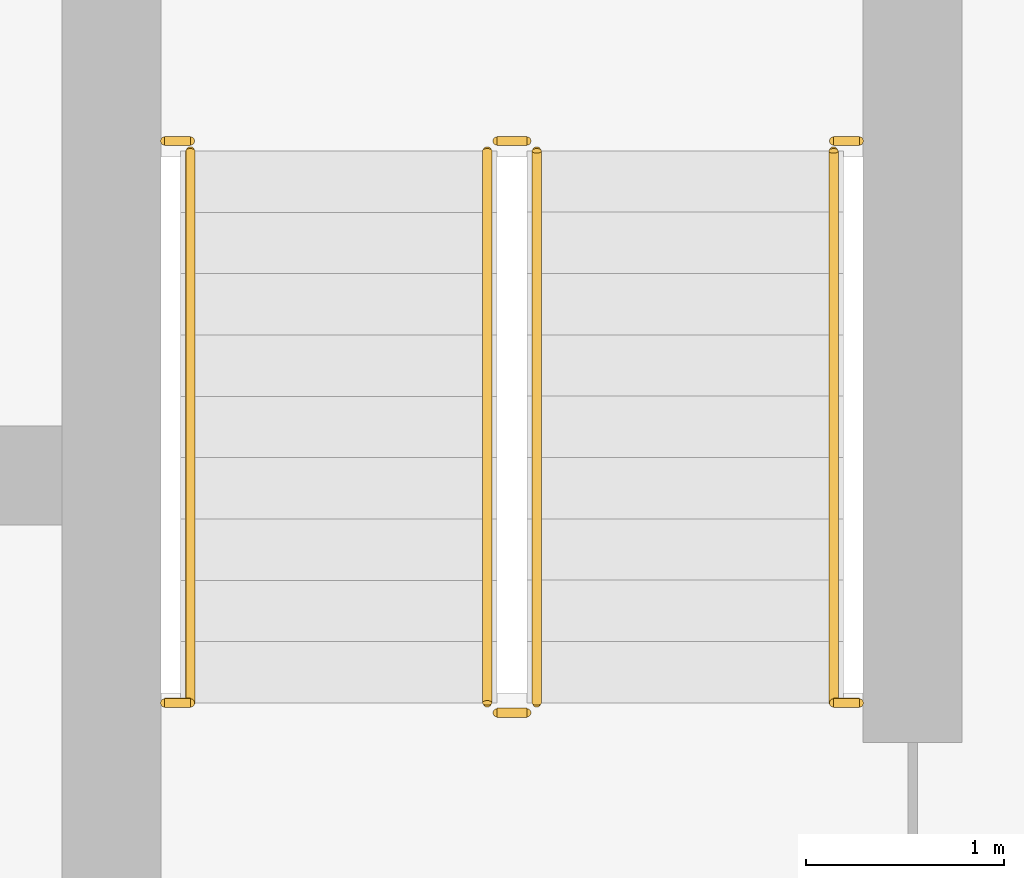
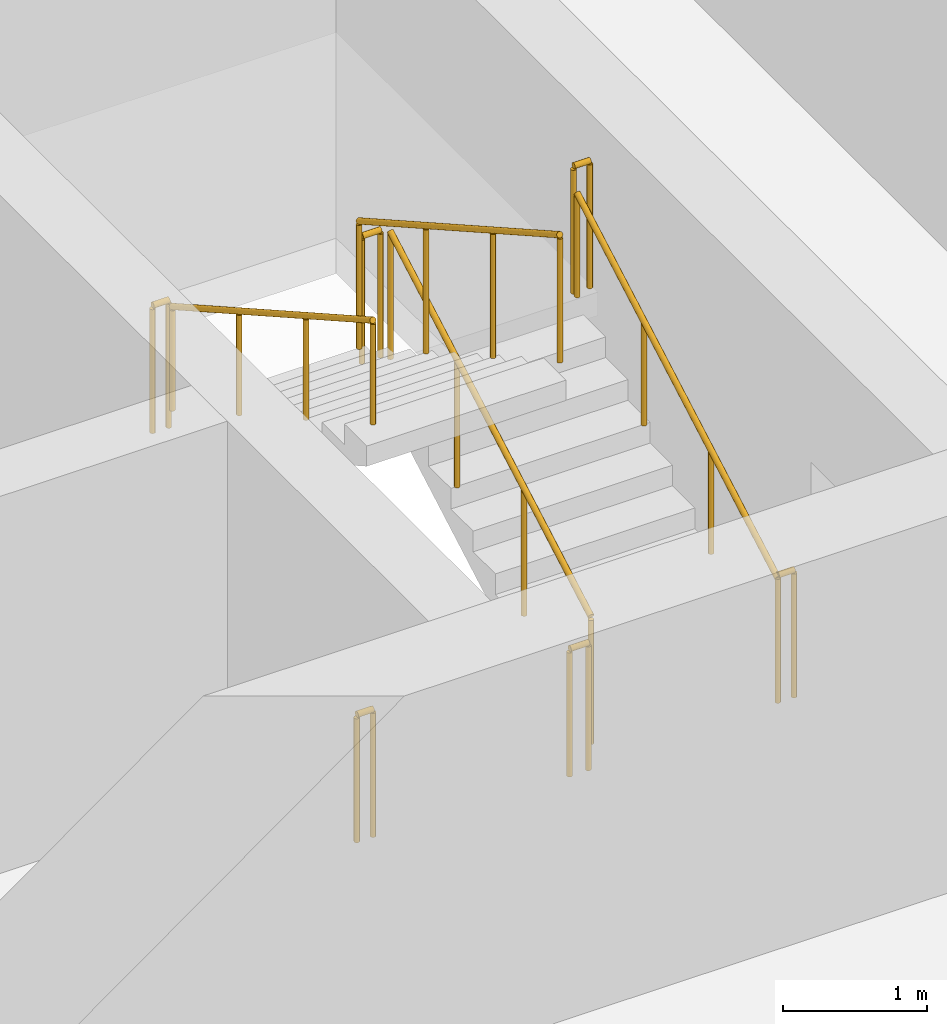
# One storey, part 19 of 21: 10 railings.
"""IFC4 building model written with IfcOpenShell, lengths in metres."""

import ifcopenshell
import ifcopenshell.guid

model = None  # the IFC model being written
_history = None  # IfcOwnerHistory: only IFC2X3 demands one
_inside = {}  # id of a spatial element -> (the spatial element, [elements in it])
_under = {}  # id of a project, library or spatial element -> (it, [spatial elements below it])
_declared = {}  # id of a project -> (the project, [libraries it declares])
_typed = {}  # id of a type object -> (the type object, [elements of that type])
_made_of = {}  # id of a material, layer set ... -> (it, [elements and type objects made of it])


def new_model(schema):
    """Start an empty IFC model of exactly this schema.

    Asked for "IFC4X3", IfcOpenShell would pick the latest addendum, in which some entities
    have other attributes; the version numbers below select the first issue.
    IFC2X3 requires an IfcOwnerHistory on every rooted entity: one is made here for all.
    """
    global model, _history
    if schema == "IFC4X3":
        model = ifcopenshell.file(schema_version=(4, 3, 0, 0))
    else:
        model = ifcopenshell.file(schema=schema)
    _inside.clear()
    _under.clear()
    _declared.clear()
    _typed.clear()
    _made_of.clear()
    _history = None
    if model.schema == "IFC2X3":
        org = make("IfcOrganization", Name="unknown")
        user = make(
            "IfcPersonAndOrganization",
            ThePerson=make("IfcPerson", FamilyName="unknown"),
            TheOrganization=org,
        )
        app = make(
            "IfcApplication",
            ApplicationDeveloper=org,
            Version="unknown",
            ApplicationFullName="unknown",
            ApplicationIdentifier="unknown",
        )
        _history = make(
            "IfcOwnerHistory",
            OwningUser=user,
            OwningApplication=app,
            ChangeAction="ADDED",
            CreationDate=0,
        )
    return model


def make(cls, **values):
    """One entity of the class cls with the attributes given. An attribute that is None is left unset."""
    return model.create_entity(
        cls, **{name: value for name, value in values.items() if value is not None}
    )


def rooted(cls, **values):
    """An entity with a GlobalId (a new one), such as an element, a storey or a relation."""
    return make(cls, GlobalId=ifcopenshell.guid.new(), OwnerHistory=_history, **values)


def si_unit(unit_type, name, prefix=None):
    """IfcSIUnit, for example si_unit("LENGTHUNIT", "METRE", prefix="MILLI")."""
    return make("IfcSIUnit", UnitType=unit_type, Prefix=prefix, Name=name)


def assignment(units):
    """IfcUnitAssignment: the units of a project."""
    return None if units is None else make("IfcUnitAssignment", Units=units)


def point(xyz):
    """IfcCartesianPoint."""
    return None if xyz is None else make("IfcCartesianPoint", Coordinates=xyz)


def direction(xyz):
    """IfcDirection."""
    return None if xyz is None else make("IfcDirection", DirectionRatios=xyz)


def frame(location, z_axis=None, x_axis=None):
    """IfcAxis2Placement3D, a coordinate frame: its origin and axes. An axis left out is left unset."""
    return make(
        "IfcAxis2Placement3D",
        Location=point(location),
        Axis=direction(z_axis),
        RefDirection=direction(x_axis),
    )


def frame_2d(location, x_axis=None):
    """IfcAxis2Placement2D, a coordinate frame in the plane: its origin and x axis."""
    return make(
        "IfcAxis2Placement2D", Location=point(location), RefDirection=direction(x_axis)
    )


def origin():
    """The frame at (0, 0, 0) with its axes left unset."""
    return frame((0.0, 0.0, 0.0))


def origin_2d():
    """The frame at (0, 0) in the plane with its x axis left unset."""
    return frame_2d((0.0, 0.0))


def place(relative_to, where):
    """IfcLocalPlacement: puts the frame where relative to a parent placement (None: the world)."""
    return make(
        "IfcLocalPlacement", PlacementRelTo=relative_to, RelativePlacement=where
    )


def context(
    kind, dimensions, precision=None, world=None, true_north=None, identifier=None
):
    """IfcGeometricRepresentationContext, for example the 3D "Model" context."""
    return make(
        "IfcGeometricRepresentationContext",
        ContextIdentifier=identifier,
        ContextType=kind,
        CoordinateSpaceDimension=dimensions,
        Precision=precision,
        WorldCoordinateSystem=world,
        TrueNorth=true_north,
    )


def subcontext(parent, identifier, kind, view, scale=None):
    """IfcGeometricRepresentationSubContext, for example "Body" below "Model"."""
    return make(
        "IfcGeometricRepresentationSubContext",
        ContextIdentifier=identifier,
        ContextType=kind,
        ParentContext=parent,
        TargetScale=scale,
        TargetView=view,
    )


def project(units=None, contexts=None):
    """IfcProject with its units and contexts."""
    return rooted(
        "IfcProject",
        Name="project",
        RepresentationContexts=contexts,
        UnitsInContext=assignment(units),
    )


def spatial(cls, under=None, at=None, **own):
    """A site, building, storey or space (cls), placed at a placement, below another one or the project."""
    s = rooted(cls, ObjectPlacement=at, **own)
    if under is not None:
        _under.setdefault(under.id(), (under, []))[1].append(s)
    return s


def profile(cls, at=None, kind="AREA", **sizes):
    """A parametric profile (cls). Its sizes go by their IFC names, for example OverallWidth=200.0."""
    return make(cls, ProfileType=kind, Position=at, **sizes)


def circle(**sizes):
    """IfcCircleProfileDef."""
    return profile("IfcCircleProfileDef", **sizes)


def extrude(swept, where, along, depth):
    """IfcExtrudedAreaSolid: the profile swept, set in the frame where, extruded along a direction by depth."""
    return make(
        "IfcExtrudedAreaSolid",
        SweptArea=swept,
        Position=where,
        ExtrudedDirection=direction(along),
        Depth=depth,
    )


def shape(context_of_items, identifier, shape_type, items):
    """IfcShapeRepresentation: the items that make up one representation, for example the "Body"."""
    return make(
        "IfcShapeRepresentation",
        ContextOfItems=context_of_items,
        RepresentationIdentifier=identifier,
        RepresentationType=shape_type,
        Items=items,
    )


def material(Name=None, Category=None):
    """IfcMaterial."""
    return make("IfcMaterial", Name=Name, Category=Category)


def made_of(thing, what):
    """Note that an element or type object is made of a material, layer set ...; save() writes the relation."""
    if what is not None:
        _made_of.setdefault(what.id(), (what, []))[1].append(thing)
    return thing


def type_object(cls, material=None, **own):
    """A type object (cls), such as IfcWallType, which elements share."""
    return made_of(rooted(cls, **own), material)


def element(
    cls,
    number,
    at=None,
    inside=None,
    cuts=None,
    type_object=None,
    material=None,
    context=None,
    identifier="Body",
    shape_type=None,
    held_by="IfcProductDefinitionShape",
    body=None,
    shapes=None,
    **own,
):
    """One element of the class cls, such as IfcWall. Its Tag is "e" and its number.

    at: its placement. inside: the storey or other place that contains it. cuts: it is an
    opening in that element (IfcRelVoidsElement). A single representation is given by context,
    identifier, shape_type and body (its items); several are given by shapes. held_by: the class
    of the entity that holds the representations. save() writes the other relations.
    """
    e = rooted(cls, Tag="e%d" % number, ObjectPlacement=at, **own)
    if body is not None:
        shapes = [shape(context, identifier, shape_type, body)]
    if shapes is not None:
        e.Representation = make(held_by, Representations=shapes)
    if inside is not None:
        _inside.setdefault(inside.id(), (inside, []))[1].append(e)
    if cuts is not None:
        rooted(
            "IfcRelVoidsElement", RelatingBuildingElement=cuts, RelatedOpeningElement=e
        )
    if type_object is not None:
        _typed.setdefault(type_object.id(), (type_object, []))[1].append(e)
    return made_of(e, material)


def aggregate(whole, parts):
    """IfcRelAggregates: a whole, such as a stair, and the parts it consists of."""
    return rooted("IfcRelAggregates", RelatingObject=whole, RelatedObjects=parts)


def save(model, path):
    """Write the relations noted so far, then the file.

    IfcRelAggregates (storeys below a building ...), IfcRelContainedInSpatialStructure (elements
    in a storey), IfcRelDefinesByType, IfcRelAssociatesMaterial and IfcRelDeclares: one each for
    every whole, place, type object, material and project.
    """
    for whole, parts in _under.values():
        aggregate(whole, parts)
    for where, things in _inside.values():
        rooted(
            "IfcRelContainedInSpatialStructure",
            RelatedElements=things,
            RelatingStructure=where,
        )
    for kind, things in _typed.values():
        rooted("IfcRelDefinesByType", RelatedObjects=things, RelatingType=kind)
    for what, things in _made_of.values():
        rooted("IfcRelAssociatesMaterial", RelatedObjects=things, RelatingMaterial=what)
    for by, libraries in _declared.values():
        rooted("IfcRelDeclares", RelatingContext=by, RelatedDefinitions=libraries)
    model.write(path)


model = new_model("IFC4")

# Units and contexts
model_context = context("Model", 3, precision=1e-05, world=origin(), true_north=direction((0.0, 1.0)))
body_context = subcontext(model_context, "Body", "Model", "MODEL_VIEW")
ifc_project = project(units=[si_unit("LENGTHUNIT", "METRE"), si_unit("AREAUNIT", "SQUARE_METRE"), si_unit("VOLUMEUNIT", "CUBIC_METRE"), si_unit("PLANEANGLEUNIT", "RADIAN"), si_unit("MASSUNIT", "GRAM", prefix="KILO")], contexts=[model_context])

# Site, building, storey
site_placement = place(None, origin())
site = spatial("IfcSite", under=ifc_project, at=site_placement, CompositionType="ELEMENT")
building_placement = place(site_placement, origin())
building = spatial("IfcBuilding", under=site, at=building_placement, Name="Madar Terraces", CompositionType="ELEMENT")
storey_placement = place(building_placement, frame((0.0, 0.0, 196.39990234375)))
storey = spatial("IfcBuildingStorey", under=building, at=storey_placement, Name="L51", CompositionType="ELEMENT", Elevation=196.39990234375)

# Railings
ifc_material_1 = material(Name="Stainless steel railing", Category="steel")
railing_type_1 = type_object("IfcRailingType", Name="Stair guard 1100", PredefinedType="GUARDRAIL", material=ifc_material_1)
railing_1_placement = place(storey_placement, frame((41.449951171875, 17.60009765625, 0.175048828125)))
element("IfcRailing", 1, at=railing_1_placement, inside=storey, type_object=railing_type_1, Name="L51 ST3 stair guard 1", PredefinedType="GUARDRAIL", context=body_context, shape_type="SweptSolid", body=[
    extrude(circle(Radius=0.02392578125, at=origin_2d()), frame((0.0, 0.0, 1.076171875), z_axis=(0.0, 0.870815363784, 0.491610213684), x_axis=(-1.0, 0.0, 0.0)), (0.0, 0.0, 1.0), 3.20361328125),
    extrude(circle(Radius=0.02099609375, at=origin_2d()), origin(), (0.0, 0.0, 1.0), 1.052001953125),
    extrude(circle(Radius=0.02099609375, at=origin_2d()), frame((0.0, 0.929931640625, 0.52490234375)), (0.0, 0.0, 1.0), 1.052001953125),
    extrude(circle(Radius=0.02099609375, at=origin_2d()), frame((0.0, 1.85986328125, 1.050048828125)), (0.0, 0.0, 1.0), 1.052001953125),
    extrude(circle(Radius=0.02099609375, at=origin_2d()), frame((0.0, 2.789794921875, 1.574951171875)), (0.0, 0.0, 1.0), 1.052001953125),
])
railing_2_placement = place(storey_placement, frame((41.39990234375, 20.43994140625, 1.75)))
element("IfcRailing", 2, at=railing_2_placement, inside=storey, type_object=railing_type_1, Name="L51 ST3 stair guard 2", PredefinedType="GUARDRAIL", context=body_context, shape_type="SweptSolid", body=[
    extrude(circle(Radius=0.02392578125, at=origin_2d()), frame((0.0, 0.0, 1.076171875), z_axis=(-1.0, 0.0, 0.0), x_axis=(0.0, -1.0, 0.0)), (0.0, 0.0, 1.0), 0.14990234375),
    extrude(circle(Radius=0.02099609375, at=origin_2d()), origin(), (0.0, 0.0, 1.0), 1.052001953125),
    extrude(circle(Radius=0.02099609375, at=origin_2d()), frame((-0.14990234375, 0.0, 0.0)), (0.0, 0.0, 1.0), 1.052001953125),
])
railing_3_placement = place(storey_placement, frame((41.199951171875, 20.389892578125, 1.925048828125)))
element("IfcRailing", 3, at=railing_3_placement, inside=storey, type_object=railing_type_1, Name="L51 ST3 stair guard 3", PredefinedType="GUARDRAIL", context=body_context, shape_type="SweptSolid", body=[
    extrude(circle(Radius=0.02392578125, at=origin_2d()), frame((0.0, 0.0, 1.076171875), z_axis=(0.0, -0.870815363784, 0.491610213684), x_axis=(1.0, 0.0, 0.0)), (0.0, 0.0, 1.0), 3.20361328125),
    extrude(circle(Radius=0.02099609375, at=origin_2d()), origin(), (0.0, 0.0, 1.0), 1.052001953125),
    extrude(circle(Radius=0.02099609375, at=origin_2d()), frame((0.0, -0.929931640625, 0.52490234375)), (0.0, 0.0, 1.0), 1.052001953125),
    extrude(circle(Radius=0.02099609375, at=origin_2d()), frame((0.0, -1.85986328125, 1.050048828125)), (0.0, 0.0, 1.0), 1.052001953125),
    extrude(circle(Radius=0.02099609375, at=origin_2d()), frame((0.0, -2.789794921875, 1.574951171875)), (0.0, 0.0, 1.0), 1.052001953125),
])
railing_4_placement = place(storey_placement, frame((41.39990234375, 17.550048828125, 0.0)))
element("IfcRailing", 4, at=railing_4_placement, inside=storey, type_object=railing_type_1, Name="L51 ST3 stair guard 4", PredefinedType="GUARDRAIL", context=body_context, shape_type="SweptSolid", body=[
    extrude(circle(Radius=0.02392578125, at=origin_2d()), frame((0.0, 0.0, 1.076171875), z_axis=(-1.0, 0.0, 0.0), x_axis=(0.0, -1.0, 0.0)), (0.0, 0.0, 1.0), 0.14990234375),
    extrude(circle(Radius=0.02099609375, at=origin_2d()), origin(), (0.0, 0.0, 1.0), 1.052001953125),
    extrude(circle(Radius=0.02099609375, at=origin_2d()), frame((-0.14990234375, 0.0, 0.0)), (0.0, 0.0, 1.0), 1.052001953125),
])
railing_5_placement = place(storey_placement, frame((39.570068359375, 20.43994140625, 1.75)))
element("IfcRailing", 5, at=railing_5_placement, inside=storey, type_object=railing_type_1, Name="L51 stair guard seat 1", PredefinedType="GUARDRAIL", context=body_context, shape_type="SweptSolid", body=[
    extrude(circle(Radius=0.02392578125, at=origin_2d()), frame((0.0, 0.0, 1.076171875), z_axis=(1.0, 0.0, 0.0), x_axis=(0.0, 1.0, 0.0)), (0.0, 0.0, 1.0), 0.1298828125),
    extrude(circle(Radius=0.02099609375, at=origin_2d()), origin(), (0.0, 0.0, 1.0), 1.052001953125),
    extrude(circle(Radius=0.02099609375, at=origin_2d()), frame((0.1298828125, 0.0, 0.0)), (0.0, 0.0, 1.0), 1.052001953125),
])
railing_6_placement = place(storey_placement, frame((42.949951171875, 20.43994140625, 1.75)))
element("IfcRailing", 6, at=railing_6_placement, inside=storey, type_object=railing_type_1, Name="L51 stair guard seat 2", PredefinedType="GUARDRAIL", context=body_context, shape_type="SweptSolid", body=[
    extrude(circle(Radius=0.02392578125, at=origin_2d()), frame((0.0, 0.0, 1.076171875), z_axis=(1.0, 0.0, 0.0), x_axis=(0.0, 1.0, 0.0)), (0.0, 0.0, 1.0), 0.130126953125),
    extrude(circle(Radius=0.02099609375, at=origin_2d()), origin(), (0.0, 0.0, 1.0), 1.052001953125),
    extrude(circle(Radius=0.02099609375, at=origin_2d()), frame((0.130126953125, 0.0, 0.0)), (0.0, 0.0, 1.0), 1.052001953125),
])
railing_7_placement = place(storey_placement, frame((39.570068359375, 17.60009765625, 0.0)))
element("IfcRailing", 7, at=railing_7_placement, inside=storey, type_object=railing_type_1, Name="L51 stair guard floor 1", PredefinedType="GUARDRAIL", context=body_context, shape_type="SweptSolid", body=[
    extrude(circle(Radius=0.02392578125, at=origin_2d()), frame((0.0, 0.0, 1.076171875), z_axis=(1.0, 0.0, 0.0), x_axis=(0.0, 1.0, 0.0)), (0.0, 0.0, 1.0), 0.1298828125),
    extrude(circle(Radius=0.02099609375, at=origin_2d()), origin(), (0.0, 0.0, 1.0), 1.052001953125),
    extrude(circle(Radius=0.02099609375, at=origin_2d()), frame((0.1298828125, 0.0, 0.0)), (0.0, 0.0, 1.0), 1.052001953125),
])
railing_8_placement = place(storey_placement, frame((42.949951171875, 17.60009765625, 0.0)))
element("IfcRailing", 8, at=railing_8_placement, inside=storey, type_object=railing_type_1, Name="L51 stair guard floor 2", PredefinedType="GUARDRAIL", context=body_context, shape_type="SweptSolid", body=[
    extrude(circle(Radius=0.02392578125, at=origin_2d()), frame((0.0, 0.0, 1.076171875), z_axis=(1.0, 0.0, 0.0), x_axis=(0.0, 1.0, 0.0)), (0.0, 0.0, 1.0), 0.130126953125),
    extrude(circle(Radius=0.02099609375, at=origin_2d()), origin(), (0.0, 0.0, 1.0), 1.052001953125),
    extrude(circle(Radius=0.02099609375, at=origin_2d()), frame((0.130126953125, 0.0, 0.0)), (0.0, 0.0, 1.0), 1.052001953125),
])
ifc_material_2 = material(Name="Stainless steel railing", Category="steel")
railing_type_2 = type_object("IfcRailingType", Name="Stair handrail 900", PredefinedType="HANDRAIL", material=ifc_material_2)
railing_9_placement = place(storey_placement, frame((42.949951171875, 17.60009765625, 0.175048828125)))
element("IfcRailing", 9, at=railing_9_placement, inside=storey, type_object=railing_type_2, Name="L51 ST3 stair handrail 1", PredefinedType="HANDRAIL", context=body_context, shape_type="SweptSolid", body=[
    extrude(circle(Radius=0.02392578125, at=origin_2d()), frame((0.0, 0.0, 0.8759765625), z_axis=(0.0, 0.870815363784, 0.491610213684), x_axis=(-1.0, 0.0, 0.0)), (0.0, 0.0, 1.0), 3.20361328125),
    extrude(circle(Radius=0.02099609375, at=origin_2d()), origin(), (0.0, 0.0, 1.0), 0.851806640625),
    extrude(circle(Radius=0.02099609375, at=origin_2d()), frame((0.0, 0.929931640625, 0.52490234375)), (0.0, 0.0, 1.0), 0.851806640625),
    extrude(circle(Radius=0.02099609375, at=origin_2d()), frame((0.0, 1.85986328125, 1.050048828125)), (0.0, 0.0, 1.0), 0.851806640625),
    extrude(circle(Radius=0.02099609375, at=origin_2d()), frame((0.0, 2.789794921875, 1.574951171875)), (0.0, 0.0, 1.0), 0.851806640625),
])
railing_10_placement = place(storey_placement, frame((39.699951171875, 20.389892578125, 1.925048828125)))
element("IfcRailing", 10, at=railing_10_placement, inside=storey, type_object=railing_type_2, Name="L51 ST3 stair handrail 2", PredefinedType="HANDRAIL", context=body_context, shape_type="SweptSolid", body=[
    extrude(circle(Radius=0.02392578125, at=origin_2d()), frame((0.0, 0.0, 0.8759765625), z_axis=(0.0, -0.870815363784, 0.491610213684), x_axis=(1.0, 0.0, 0.0)), (0.0, 0.0, 1.0), 3.20361328125),
    extrude(circle(Radius=0.02099609375, at=origin_2d()), origin(), (0.0, 0.0, 1.0), 0.851806640625),
    extrude(circle(Radius=0.02099609375, at=origin_2d()), frame((0.0, -0.929931640625, 0.52490234375)), (0.0, 0.0, 1.0), 0.851806640625),
    extrude(circle(Radius=0.02099609375, at=origin_2d()), frame((0.0, -1.85986328125, 1.050048828125)), (0.0, 0.0, 1.0), 0.851806640625),
    extrude(circle(Radius=0.02099609375, at=origin_2d()), frame((0.0, -2.789794921875, 1.574951171875)), (0.0, 0.0, 1.0), 0.851806640625),
])

save(model, "model.ifc")
